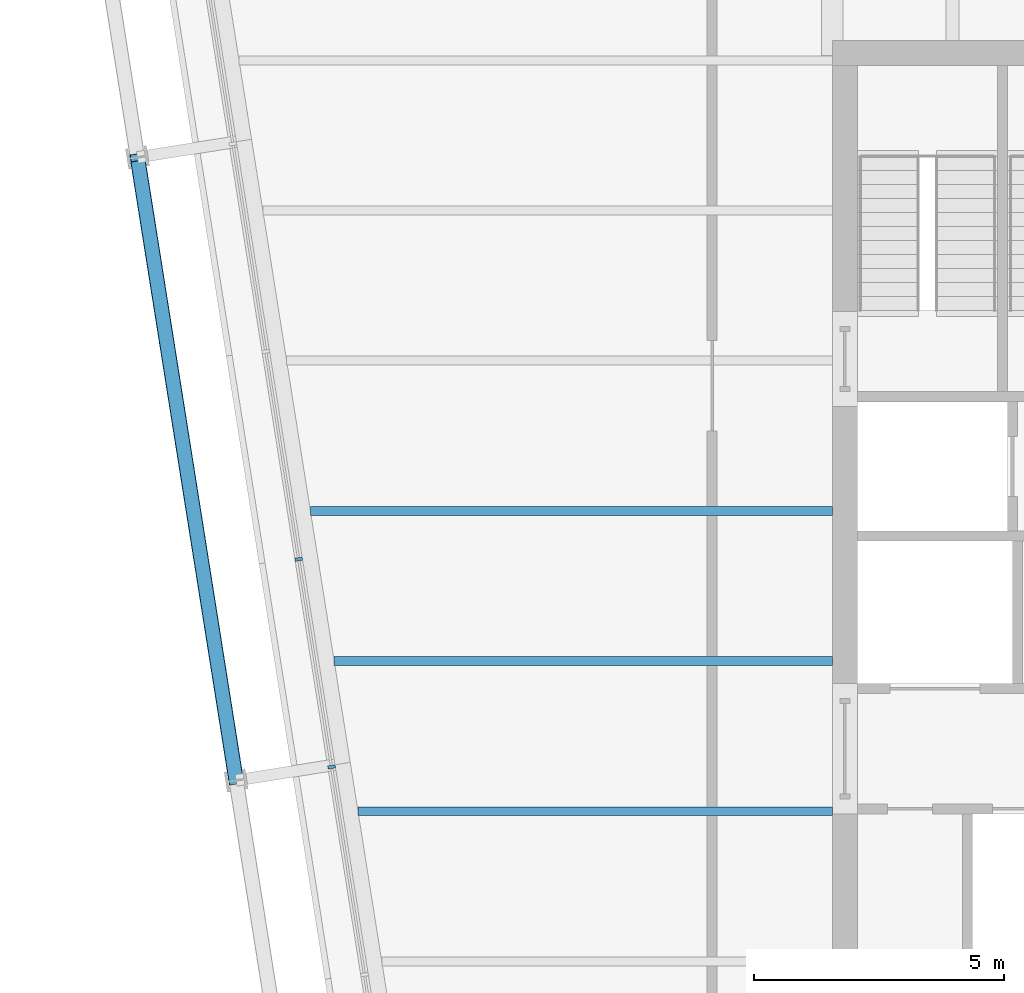
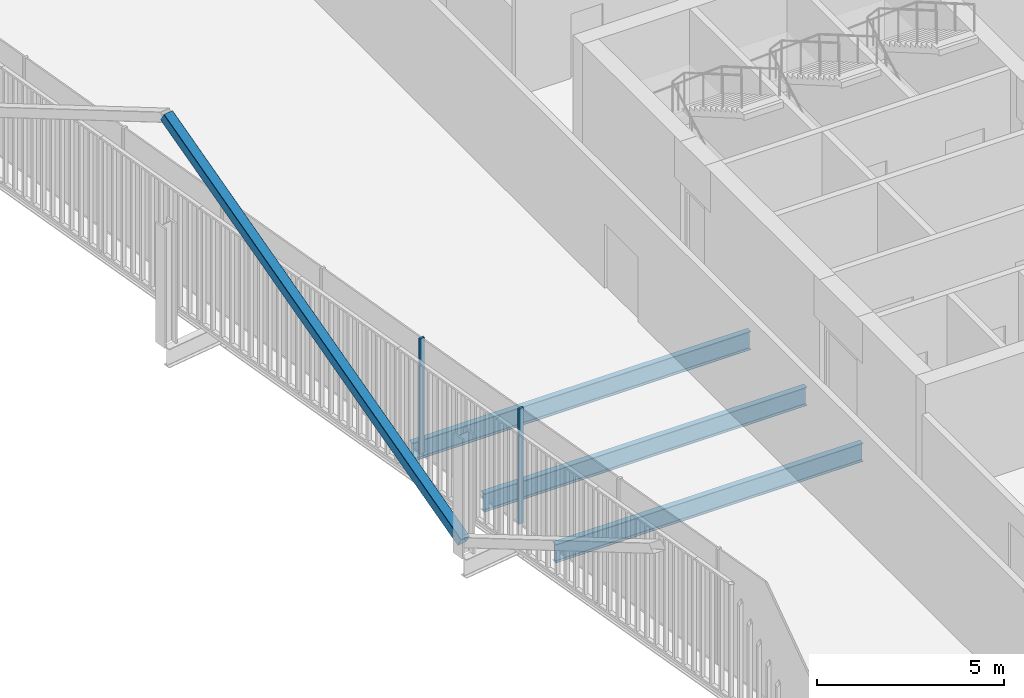
# One storey, part 5 of 21: 3 beams, 3 members, 1 element without a shape of its own.
"""IFC4 building model written with IfcOpenShell, lengths in metres."""

from ifc_helpers import new_model, si_unit, direction, frame, origin, origin_2d, place, context, subcontext, project, spatial, rectangle, hollow_rectangle, i_section, extrude, material, layer, layer_set, material_profile, profile_set, type_object, element, aggregate, save


model = new_model("IFC4")

# Units and contexts
model_context = context("Model", 3, precision=1e-05, world=origin(), true_north=direction((0.0, 1.0)))
body_context = subcontext(model_context, "Body", "Model", "MODEL_VIEW")
ifc_project = project(units=[si_unit("LENGTHUNIT", "METRE"), si_unit("AREAUNIT", "SQUARE_METRE"), si_unit("VOLUMEUNIT", "CUBIC_METRE"), si_unit("PLANEANGLEUNIT", "RADIAN"), si_unit("MASSUNIT", "GRAM", prefix="KILO")], contexts=[model_context])

# Site, building, storey
site_placement = place(None, origin())
site = spatial("IfcSite", under=ifc_project, at=site_placement, CompositionType="ELEMENT")
building_placement = place(site_placement, origin())
building = spatial("IfcBuilding", under=site, at=building_placement, Name="Millrace Tower", CompositionType="ELEMENT")
storey_placement = place(building_placement, frame((0.0, 0.0, 228.10009765625)))
storey = spatial("IfcBuildingStorey", under=building, at=storey_placement, Name="L52", CompositionType="ELEMENT", Elevation=228.10009765625)

# Curtain wall, members
ifc_material_1 = material(Name="Aluminium and glass", Category="aluminium")
ifc_layer = layer(ifc_material_1, 0.14990234375)
ifc_layer_set = layer_set([ifc_layer], Name="Aluminium and glass")
curtain_wall_type = type_object("IfcCurtainWallType", Name="CW-1 office vision curtain wall", PredefinedType="NOTDEFINED", material=ifc_layer_set)
curtain_wall_placement = place(storey_placement, origin())
curtain_wall = element("IfcCurtainWall", 1, at=curtain_wall_placement, inside=storey, type_object=curtain_wall_type, Name="Curtain wall D-F08 L52", PredefinedType="NOTDEFINED")
ifc_material_2 = material(Name="Aluminium", Category="aluminium")
ifc_material_profile_1 = material_profile(ifc_material_2, rectangle(XDim=0.06494140625, YDim=0.14990234375, at=origin_2d()))
ifc_profile_set_1 = profile_set([ifc_material_profile_1], Name="Aluminium")
member_type_1 = type_object("IfcMemberType", Name="CW-1 office vision curtain wall mullion", PredefinedType="MULLION", material=ifc_profile_set_1)
member_1_placement = place(storey_placement, frame((-25.057373046875, -0.966064453125, 0.139892578125), z_axis=(0.0, 0.0, 1.0), x_axis=(0.156434471884, -0.987688339511, 0.0)))
member_1 = element("IfcMember", 2, at=member_1_placement, type_object=member_type_1, Name="CW1 mullion D-F08.6", PredefinedType="MULLION", context=body_context, shape_type="SweptSolid", body=[
    extrude(rectangle(XDim=0.06494140625, YDim=0.14990234375, at=origin_2d()), origin(), (0.0, 0.0, 1.0), 3.760009765625),
])
member_2_placement = place(storey_placement, frame((-24.400390625, -5.1142578125, 0.139892578125), z_axis=(0.0, 0.0, 1.0), x_axis=(0.156434471884, -0.987688339511, 0.0)))
member_2 = element("IfcMember", 3, at=member_2_placement, type_object=member_type_1, Name="CW1 mullion D-F08.7", PredefinedType="MULLION", context=body_context, shape_type="SweptSolid", body=[
    extrude(rectangle(XDim=0.06494140625, YDim=0.14990234375, at=origin_2d()), origin(), (0.0, 0.0, 1.0), 3.760009765625),
])
aggregate(curtain_wall, [member_1, member_2])

# Member
ifc_material_3 = material(Name="Steel ASTM A500 Grade C", Category="steel")
ifc_material_profile_2 = material_profile(ifc_material_3, hollow_rectangle(XDim=0.3046875, YDim=0.3046875, WallThickness=0.0126953125, InnerFilletRadius=0.00634765625, OuterFilletRadius=0.01904296875, at=origin_2d()))
ifc_profile_set_2 = profile_set([ifc_material_profile_2], Name="Steel ASTM A500 Grade C")
member_type_2 = type_object("IfcMemberType", Name="Exoskeleton brace HSS12x12x1/2", PredefinedType="BRACE", material=ifc_profile_set_2)
member_3_placement = place(storey_placement, frame((-26.306640625, -5.38330078125, 0.39990234375), z_axis=(-0.136756701563, 0.863393126764, 0.485643813132), x_axis=(-0.987686809102, -0.1564441342, 0.0)))
element("IfcMember", 4, at=member_3_placement, inside=storey, type_object=member_type_2, Name="BRC-D-L52-15", PredefinedType="BRACE", context=body_context, shape_type="SweptSolid", body=[
    extrude(hollow_rectangle(XDim=0.3046875, YDim=0.3046875, WallThickness=0.0126953125, InnerFilletRadius=0.00634765625, OuterFilletRadius=0.01904296875, at=origin_2d()), origin(), (0.0, 0.0, 1.0), 14.413818359375),
])

# Beams
ifc_material_4 = material(Name="Steel ASTM A992 Grade 50", Category="steel")
ifc_material_profile_3 = material_profile(ifc_material_4, i_section(OverallWidth=0.177978515625, OverallDepth=0.599365234375, WebThickness=0.010009765625, FlangeThickness=0.012939453125, FilletRadius=0.012939453125, at=origin_2d()))
ifc_profile_set_3 = profile_set([ifc_material_profile_3], Name="Steel ASTM A992 Grade 50")
beam_type_1 = type_object("IfcBeamType", Name="Floor beam W24x55", PredefinedType="JOIST", material=ifc_profile_set_3)
beam_1_placement = place(storey_placement, frame((-23.872802734375, -6.0, -0.459716796875), z_axis=(1.0, 0.0, 0.0), x_axis=(0.0, 1.0, 0.0)))
element("IfcBeam", 5, at=beam_1_placement, inside=storey, type_object=beam_type_1, Name="BM-D-L52-S1-S009", PredefinedType="JOIST", context=body_context, shape_type="SweptSolid", body=[
    extrude(i_section(OverallWidth=0.177978515625, OverallDepth=0.599365234375, WebThickness=0.010009765625, FlangeThickness=0.012939453125, FilletRadius=0.012939453125, at=origin_2d()), origin(), (0.0, 0.0, 1.0), 9.472900390625),
])
beam_2_placement = place(storey_placement, frame((-24.34814453125, -3.0, -0.459716796875), z_axis=(1.0, 0.0, 0.0), x_axis=(0.0, 1.0, 0.0)))
element("IfcBeam", 6, at=beam_2_placement, inside=storey, type_object=beam_type_1, Name="BM-D-L52-S1-S012", PredefinedType="JOIST", context=body_context, shape_type="SweptSolid", body=[
    extrude(i_section(OverallWidth=0.177978515625, OverallDepth=0.599365234375, WebThickness=0.010009765625, FlangeThickness=0.012939453125, FilletRadius=0.012939453125, at=origin_2d()), origin(), (0.0, 0.0, 1.0), 9.9482421875),
])
ifc_material_5 = material(Name="Steel ASTM A992 Grade 50", Category="steel")
ifc_material_profile_4 = material_profile(ifc_material_5, i_section(OverallWidth=0.1787109375, OverallDepth=0.60205078125, WebThickness=0.010986328125, FlangeThickness=0.014892578125, FilletRadius=0.0126953125, at=origin_2d()))
ifc_profile_set_4 = profile_set([ifc_material_profile_4], Name="Steel ASTM A992 Grade 50")
beam_type_2 = type_object("IfcBeamType", Name="Floor beam W24x62", PredefinedType="JOIST", material=ifc_profile_set_4)
beam_3_placement = place(storey_placement, frame((-24.8232421875, 0.0, -0.461181640625), z_axis=(1.0, 0.0, 0.0), x_axis=(0.0, 1.0, 0.0)))
element("IfcBeam", 7, at=beam_3_placement, inside=storey, type_object=beam_type_2, Name="BM-D-L52-S1-S015", PredefinedType="JOIST", context=body_context, shape_type="SweptSolid", body=[
    extrude(i_section(OverallWidth=0.1787109375, OverallDepth=0.60205078125, WebThickness=0.010986328125, FlangeThickness=0.014892578125, FilletRadius=0.0126953125, at=origin_2d()), origin(), (0.0, 0.0, 1.0), 10.42333984375),
])

save(model, "model.ifc")
